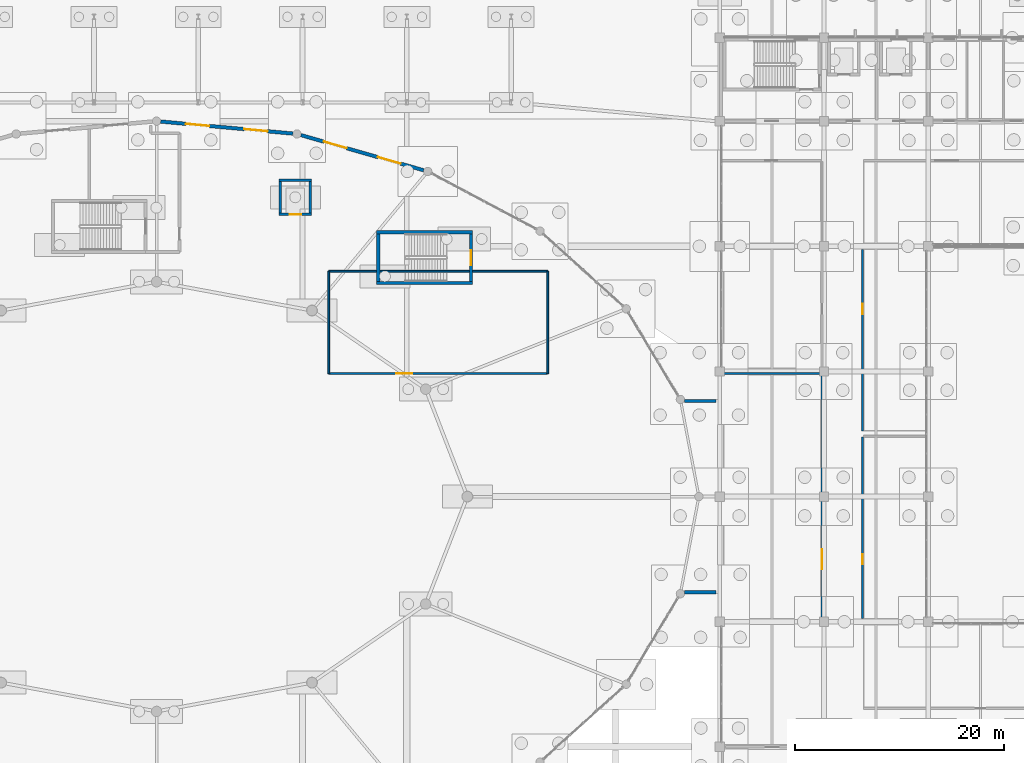
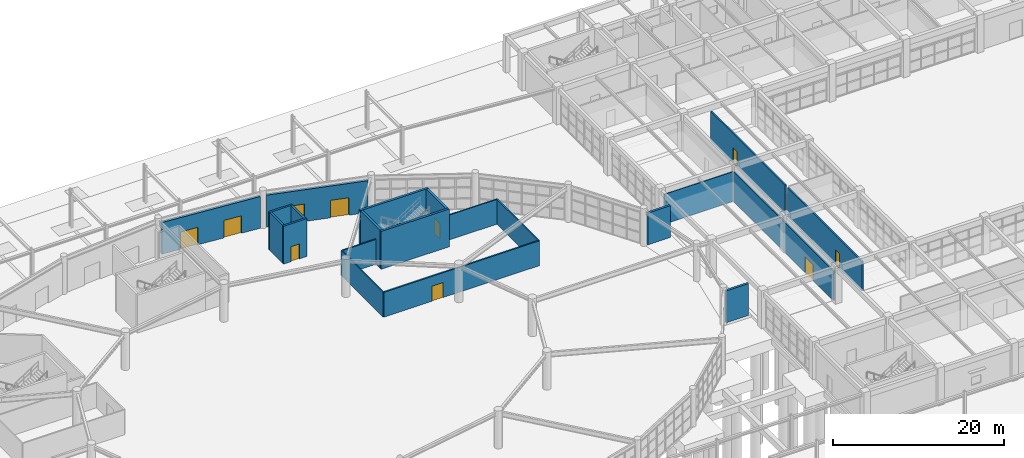
# One storey, part 78 of 99: 20 walls, 10 doors, 10 openings.
"""IFC4 building model written with IfcOpenShell, lengths in metres."""

from ifc_helpers import new_model, si_unit, direction, frame, frame_2d, origin, place, context, subcontext, project, spatial, rectangle, extrude, material, layer, layer_set, type_object, element, fill, save


model = new_model("IFC4")

# Units and contexts
model_context = context("Model", 3, precision=1e-05, world=origin(), true_north=direction((0.0, 1.0)))
body_context = subcontext(model_context, "Body", "Model", "MODEL_VIEW")
ifc_project = project(units=[si_unit("LENGTHUNIT", "METRE"), si_unit("AREAUNIT", "SQUARE_METRE"), si_unit("VOLUMEUNIT", "CUBIC_METRE"), si_unit("PLANEANGLEUNIT", "RADIAN"), si_unit("MASSUNIT", "GRAM", prefix="KILO")], contexts=[model_context])

# Site, building, storey
site_placement = place(None, origin())
site = spatial("IfcSite", under=ifc_project, at=site_placement, CompositionType="ELEMENT")
building_placement = place(site_placement, origin())
building = spatial("IfcBuilding", under=site, at=building_placement, Name="Kivolera Central Railway Station", CompositionType="ELEMENT")
storey_placement = place(building_placement, origin())
storey = spatial("IfcBuildingStorey", under=building, at=storey_placement, Name="L00", CompositionType="ELEMENT", Elevation=0.0)

# Wall, opening, door
ifc_material_1 = material(Name="Swahili coral limestone", Category="masonry")
ifc_layer_1 = layer(ifc_material_1, 0.199951171875, Name="Swahili coral limestone")
ifc_layer_set_1 = layer_set([ifc_layer_1], Name="Swahili coral limestone")
wall_type_1 = type_object("IfcWallType", Name="WL-COR-200", PredefinedType="PARTITIONING", material=ifc_layer_set_1)
wall_1_placement = place(storey_placement, frame((127.820068359375, 78.300048828125, 0.0), z_axis=(0.0, 0.0, 1.0), x_axis=(0.0, 1.0, 0.0)))
wall_1 = element("IfcWall", 1, at=wall_1_placement, inside=storey, type_object=wall_type_1, Name="L00 Left Luggage and Baggage Screening Hall Corridor Wall", PredefinedType="PARTITIONING", context=body_context, shape_type="SweptSolid", body=[
    extrude(rectangle(XDim=23.39990234375, YDim=0.199951171875, at=frame_2d((11.699951171875, 0.0))), origin(), (0.0, 0.0, 1.0), 4.258056640625),
])
opening_1_placement = place(wall_1_placement, frame((4.75, 0.0, 0.0)))
opening_1 = element("IfcOpeningElement", 2, at=opening_1_placement, cuts=wall_1, Name="Opening D-DB-05", PredefinedType="OPENING", context=body_context, shape_type="SweptSolid", body=[
    extrude(rectangle(XDim=1.89990234375, YDim=2.25, at=frame_2d((0.949951171875, 1.125))), frame((0.0, 0.10986328125, 0.0), z_axis=(0.0, -1.0, 0.0), x_axis=(1.0, 0.0, 0.0)), (0.0, 0.0, 1.0), 0.219970703125),
])
ifc_material_2 = material(Name="Anodised aluminium", Category="aluminium")
door_type_1 = type_object("IfcDoorType", Name="DR-D-DB-05", OperationType="NOTDEFINED", PredefinedType="DOOR", material=ifc_material_2)
door_1_placement = place(opening_1_placement, origin())
door_1 = element("IfcDoor", 3, at=door_1_placement, inside=storey, type_object=door_type_1, Name="L00 Left Luggage and Baggage Screening Hall Door", OperationType="DOUBLE_DOOR_SINGLE_SWING", OverallHeight=2.25, OverallWidth=1.89990234375, PredefinedType="DOOR", context=body_context, shape_type="SweptSolid", body=[
    extrude(rectangle(XDim=1.89990234375, YDim=2.25, at=frame_2d((0.949951171875, 1.125))), frame((0.0, 0.02490234375, 0.0), z_axis=(0.0, -1.0, 0.0), x_axis=(1.0, 0.0, 0.0)), (0.0, 0.0, 1.0), 0.050048828125),
])
fill(opening_1, door_1)

wall_2_placement = place(storey_placement, frame((131.679931640625, 78.300048828125, 0.0), z_axis=(0.0, 0.0, 1.0), x_axis=(0.0, 1.0, 0.0)))
wall_2 = element("IfcWall", 4, at=wall_2_placement, inside=storey, type_object=wall_type_1, Name="L00 Arcade Bakery Retail Shop Corridor Wall", PredefinedType="PARTITIONING", context=body_context, shape_type="SweptSolid", body=[
    extrude(rectangle(XDim=17.39990234375, YDim=0.199951171875, at=frame_2d((8.699951171875, 0.0))), origin(), (0.0, 0.0, 1.0), 4.258056640625),
])
opening_2_placement = place(wall_2_placement, frame((5.22509765625, 0.0, 0.0)))
opening_2 = element("IfcOpeningElement", 5, at=opening_2_placement, cuts=wall_2, Name="Opening D-SG-08", PredefinedType="OPENING", context=body_context, shape_type="SweptSolid", body=[
    extrude(rectangle(XDim=0.949951171875, YDim=2.199951171875, at=frame_2d((0.47509765625, 1.10009765625))), frame((0.0, 0.10986328125, 0.0), z_axis=(0.0, -1.0, 0.0), x_axis=(1.0, 0.0, 0.0)), (0.0, 0.0, 1.0), 0.219970703125),
])
ifc_material_3 = material(Name="Hardwood mvule timber", Category="wood")
door_type_2 = type_object("IfcDoorType", Name="DR-D-SG-08", OperationType="NOTDEFINED", PredefinedType="DOOR", material=ifc_material_3)
door_2_placement = place(opening_2_placement, origin())
door_2 = element("IfcDoor", 6, at=door_2_placement, inside=storey, type_object=door_type_2, Name="L00 Arcade Bakery Retail Shop Door", OperationType="SINGLE_SWING_RIGHT", OverallHeight=2.199951171875, OverallWidth=0.949951171875, PredefinedType="DOOR", context=body_context, shape_type="SweptSolid", body=[
    extrude(rectangle(XDim=0.949951171875, YDim=2.199951171875, at=frame_2d((0.47509765625, 1.10009765625))), frame((0.0, 0.02490234375, 0.0), z_axis=(0.0, -1.0, 0.0), x_axis=(1.0, 0.0, 0.0)), (0.0, 0.0, 1.0), 0.050048828125),
])
fill(opening_2, door_2)

wall_3_placement = place(storey_placement, frame((131.679931640625, 96.300048828125, 0.0), z_axis=(0.0, 0.0, 1.0), x_axis=(0.0, 1.0, 0.0)))
wall_3 = element("IfcWall", 7, at=wall_3_placement, inside=storey, type_object=wall_type_1, Name="L00 Mobile Telecoms Service Shop Corridor Wall", PredefinedType="PARTITIONING", context=body_context, shape_type="SweptSolid", body=[
    extrude(rectangle(XDim=17.39990234375, YDim=0.199951171875, at=frame_2d((8.699951171875, 0.0))), origin(), (0.0, 0.0, 1.0), 4.258056640625),
])
opening_3_placement = place(wall_3_placement, frame((11.199951171875, 0.0, 0.0)))
opening_3 = element("IfcOpeningElement", 8, at=opening_3_placement, cuts=wall_3, Name="Opening D-SG-09", PredefinedType="OPENING", context=body_context, shape_type="SweptSolid", body=[
    extrude(rectangle(XDim=1.0, YDim=2.199951171875, at=frame_2d((0.5, 1.10009765625))), frame((0.0, 0.10986328125, 0.0), z_axis=(0.0, -1.0, 0.0), x_axis=(1.0, 0.0, 0.0)), (0.0, 0.0, 1.0), 0.219970703125),
])
door_type_3 = type_object("IfcDoorType", Name="DR-D-SG-09", OperationType="NOTDEFINED", PredefinedType="DOOR", material=ifc_material_3)
door_3_placement = place(opening_3_placement, origin())
door_3 = element("IfcDoor", 9, at=door_3_placement, inside=storey, type_object=door_type_3, Name="L00 Mobile Telecoms Service Shop Door", OperationType="SINGLE_SWING_LEFT", OverallHeight=2.199951171875, OverallWidth=1.0, PredefinedType="DOOR", context=body_context, shape_type="SweptSolid", body=[
    extrude(rectangle(XDim=1.0, YDim=2.199951171875, at=frame_2d((0.5, 1.10009765625))), frame((0.0, 0.02490234375, 0.0), z_axis=(0.0, -1.0, 0.0), x_axis=(1.0, 0.0, 0.0)), (0.0, 0.0, 1.0), 0.050048828125),
])
fill(opening_3, door_3)

wall_4_placement = place(storey_placement, frame((80.5, 101.800048828125, 0.0), z_axis=(0.0, 0.0, 1.0), x_axis=(1.0, 0.0, 0.0)))
wall_4 = element("IfcWall", 10, at=wall_4_placement, inside=storey, type_object=wall_type_1, Name="L00 Ticket Issuing Office Counter Door Host Wall", PredefinedType="PARTITIONING", context=body_context, shape_type="SweptSolid", body=[
    extrude(rectangle(XDim=21.0, YDim=0.199951171875, at=frame_2d((10.5, 0.0))), origin(), (0.0, 0.0, 1.0), 3.550048828125),
])
opening_4_placement = place(wall_4_placement, frame((6.5, 0.0, 0.0)))
opening_4 = element("IfcOpeningElement", 11, at=opening_4_placement, cuts=wall_4, Name="Opening D-DB-01", PredefinedType="OPENING", context=body_context, shape_type="SweptSolid", body=[
    extrude(rectangle(XDim=1.5, YDim=2.14990234375, at=frame_2d((0.75, 1.074951171875))), frame((0.0, 0.10986328125, 0.0), z_axis=(0.0, -1.0, 0.0), x_axis=(1.0, 0.0, 0.0)), (0.0, 0.0, 1.0), 0.219970703125),
])
door_type_4 = type_object("IfcDoorType", Name="DR-D-DB-01", OperationType="NOTDEFINED", PredefinedType="DOOR", material=ifc_material_2)
door_4_placement = place(opening_4_placement, origin())
door_4 = element("IfcDoor", 12, at=door_4_placement, inside=storey, type_object=door_type_4, Name="L00 Ticket Issuing Office Counter Door", OperationType="DOUBLE_DOOR_SINGLE_SWING", OverallHeight=2.14990234375, OverallWidth=1.5, PredefinedType="DOOR", context=body_context, shape_type="SweptSolid", body=[
    extrude(rectangle(XDim=1.5, YDim=2.14990234375, at=frame_2d((0.75, 1.074951171875))), frame((0.0, 0.02490234375, 0.0), z_axis=(0.0, -1.0, 0.0), x_axis=(1.0, 0.0, 0.0)), (0.0, 0.0, 1.0), 0.050048828125),
])
fill(opening_4, door_4)

# Walls
ifc_material_4 = material(Name="Concrete C40/50", Category="concrete")
ifc_layer_2 = layer(ifc_material_4, 0.300048828125, Name="Concrete C40/50")
ifc_layer_set_2 = layer_set([ifc_layer_2], Name="Concrete C40/50")
wall_type_2 = type_object("IfcWallType", Name="WL-CORE-300", PredefinedType="SHEAR", material=ifc_layer_set_2)
for number, where, z_axis, x_axis, name in (
    (13, (94.300048828125, 110.469970703125, 0.0), (0.0, 0.0, 1.0), (-1.0, 0.0, 0.0), "L00 ST7 Core Right Shear Wall"),
    (14, (85.10009765625, 115.35009765625, 0.0), (0.0, 0.0, 1.0), (1.0, 0.0, 0.0), "L00 ST7 Core Left Shear Wall"),
):
    element("IfcWall", number, at=place(storey_placement, frame(where, z_axis=z_axis, x_axis=x_axis)), inside=storey, type_object=wall_type_2, Name=name, PredefinedType="SHEAR", context=body_context, shape_type="SweptSolid", body=[
        extrude(rectangle(XDim=9.199951171875, YDim=0.300048828125, at=frame_2d((4.60009765625, 0.0))), origin(), (0.0, 0.0, 1.0), 5.39990234375),
    ])

# Wall, opening, door
wall_5_placement = place(storey_placement, frame((94.14990234375, 115.199951171875, 0.0), z_axis=(0.0, 0.0, 1.0), x_axis=(0.0, -1.0, 0.0)))
wall_5 = element("IfcWall", 15, at=wall_5_placement, inside=storey, type_object=wall_type_2, Name="L00 ST7 Core Near Shear Wall", PredefinedType="SHEAR", context=body_context, shape_type="SweptSolid", body=[
    extrude(rectangle(XDim=4.579833984375, YDim=0.300048828125, at=frame_2d((2.2900390625, 0.0))), origin(), (0.0, 0.0, 1.0), 5.39990234375),
])
opening_5_placement = place(wall_5_placement, frame((1.56494140625, 0.0, 0.0)))
opening_5 = element("IfcOpeningElement", 16, at=opening_5_placement, cuts=wall_5, Name="Opening D-STAIR-1450", PredefinedType="OPENING", context=body_context, shape_type="SweptSolid", body=[
    extrude(rectangle(XDim=1.449951171875, YDim=2.199951171875, at=frame_2d((0.72509765625, 1.10009765625))), frame((0.0, 0.159912109375, 0.0), z_axis=(0.0, -1.0, 0.0), x_axis=(1.0, 0.0, 0.0)), (0.0, 0.0, 1.0), 0.320068359375),
])
door_type_5 = type_object("IfcDoorType", Name="DR-D-STAIR-1450", OperationType="NOTDEFINED", PredefinedType="DOOR", material=ifc_material_3)
door_5_placement = place(opening_5_placement, origin())
door_5 = element("IfcDoor", 17, at=door_5_placement, inside=storey, type_object=door_type_5, Name="L00 ST7 Concourse/Platform Stair Fire Door", OperationType="SINGLE_SWING_LEFT", OverallHeight=2.199951171875, OverallWidth=1.449951171875, PredefinedType="DOOR", context=body_context, shape_type="SweptSolid", body=[
    extrude(rectangle(XDim=1.449951171875, YDim=2.199951171875, at=frame_2d((0.72509765625, 1.10009765625))), frame((0.0, 0.02490234375, 0.0), z_axis=(0.0, -1.0, 0.0), x_axis=(1.0, 0.0, 0.0)), (0.0, 0.0, 1.0), 0.050048828125),
])
fill(opening_5, door_5)

# Walls
wall_6_placement = place(storey_placement, frame((85.25, 110.6201171875, 0.0), z_axis=(0.0, 0.0, 1.0), x_axis=(0.0, 1.0, 0.0)))
element("IfcWall", 18, at=wall_6_placement, inside=storey, type_object=wall_type_2, Name="L00 ST7 Core Far Shear Wall", PredefinedType="SHEAR", context=body_context, shape_type="SweptSolid", body=[
    extrude(rectangle(XDim=4.579833984375, YDim=0.300048828125, at=frame_2d((2.2900390625, 0.0))), origin(), (0.0, 0.0, 1.0), 5.39990234375),
])
ifc_layer_3 = layer(ifc_material_1, 0.2900390625, Name="Swahili coral limestone")
ifc_layer_set_3 = layer_set([ifc_layer_3], Name="Swahili coral limestone")
wall_type_3 = type_object("IfcWallType", Name="WL-EXT-CORAL-290", PredefinedType="SOLIDWALL", material=ifc_layer_set_3)
for number, where, z_axis, x_axis, name in (
    (19, (114.60791015625, 99.172119140625, 0.0), (0.0, 0.0, 1.0), (1.0, 0.0, 0.0), "L00 Concourse Link North Closure Wall"),
    (20, (117.64990234375, 80.827880859375, 0.0), (0.0, 0.0, 1.0), (-1.0, 0.0, 0.0), "L00 Concourse Link South Closure Wall"),
):
    element("IfcWall", number, at=place(storey_placement, frame(where, z_axis=z_axis, x_axis=x_axis)), inside=storey, type_object=wall_type_3, Name=name, PredefinedType="SOLIDWALL", context=body_context, shape_type="SweptSolid", body=[
        extrude(rectangle(XDim=3.0419921875, YDim=0.2900390625, at=frame_2d((1.52099609375, 0.0))), origin(), (0.0, 0.0, 1.0), 4.550048828125),
    ])

# Wall, openings, doors
ifc_layer_4 = layer(ifc_material_1, 0.340087890625, Name="Swahili coral limestone")
ifc_layer_set_4 = layer_set([ifc_layer_4], Name="Swahili coral limestone")
wall_type_4 = type_object("IfcWallType", Name="WL-EXT-PLINTH-340", PredefinedType="SOLIDWALL", material=ifc_layer_set_4)
wall_7_placement = place(storey_placement, frame((77.843994140625, 124.6630859375, 0.0), z_axis=(0.0, 0.0, 1.0), x_axis=(0.9612465972, -0.275690005934, 0.0)))
wall_7 = element("IfcWall", 21, at=wall_7_placement, inside=storey, type_object=wall_type_4, Name="Oval Concourse Entrance Portal Wall Bay 05", PredefinedType="SOLIDWALL", context=body_context, shape_type="SweptSolid", body=[
    extrude(rectangle(XDim=12.24560546875, YDim=0.340087890625, at=frame_2d((6.122802734375, 0.0))), origin(), (0.0, 0.0, 1.0), 4.5400390625),
])
opening_6_placement = place(wall_7_placement, frame((2.303955078125, 0.0, 0.0)))
opening_6 = element("IfcOpeningElement", 22, at=opening_6_placement, cuts=wall_7, Name="Opening ED-2250", PredefinedType="OPENING", context=body_context, shape_type="SweptSolid", body=[
    extrude(rectangle(XDim=2.25, YDim=2.5, at=frame_2d((1.125, 1.25))), frame((0.0, 0.179931640625, 0.0), z_axis=(0.0, -1.0, 0.0), x_axis=(1.0, 0.0, 0.0)), (0.0, 0.0, 1.0), 0.360107421875),
])
opening_7_placement = place(wall_7_placement, frame((7.69189453125, 0.0, 0.0)))
opening_7 = element("IfcOpeningElement", 23, at=opening_7_placement, cuts=wall_7, Name="Opening ED-2250", PredefinedType="OPENING", context=body_context, shape_type="SweptSolid", body=[
    extrude(rectangle(XDim=2.25, YDim=2.5, at=frame_2d((1.125, 1.25))), frame((0.0, 0.179931640625, 0.0), z_axis=(0.0, -1.0, 0.0), x_axis=(1.0, 0.0, 0.0)), (0.0, 0.0, 1.0), 0.360107421875),
])
door_type_6 = type_object("IfcDoorType", Name="DR-ED-2250", OperationType="NOTDEFINED", PredefinedType="DOOR", material=ifc_material_2)
door_6_placement = place(opening_6_placement, origin())
door_6 = element("IfcDoor", 24, at=door_6_placement, inside=storey, type_object=door_type_6, Name="Final Exit Discharge Door ED-01", OperationType="DOUBLE_DOOR_SINGLE_SWING", OverallHeight=2.5, OverallWidth=2.25, PredefinedType="DOOR", context=body_context, shape_type="SweptSolid", body=[
    extrude(rectangle(XDim=2.25, YDim=2.5, at=frame_2d((1.125, 1.25))), frame((0.0, 0.02490234375, 0.0), z_axis=(0.0, -1.0, 0.0), x_axis=(1.0, 0.0, 0.0)), (0.0, 0.0, 1.0), 0.050048828125),
])
fill(opening_6, door_6)
door_7_placement = place(opening_7_placement, origin())
door_7 = element("IfcDoor", 25, at=door_7_placement, inside=storey, type_object=door_type_6, Name="Final Exit Discharge Door ED-02", OperationType="DOUBLE_DOOR_SINGLE_SWING", OverallHeight=2.5, OverallWidth=2.25, PredefinedType="DOOR", context=body_context, shape_type="SweptSolid", body=[
    extrude(rectangle(XDim=2.25, YDim=2.5, at=frame_2d((1.125, 1.25))), frame((0.0, 0.02490234375, 0.0), z_axis=(0.0, -1.0, 0.0), x_axis=(1.0, 0.0, 0.0)), (0.0, 0.0, 1.0), 0.050048828125),
])
fill(opening_7, door_7)

wall_8_placement = place(storey_placement, frame((64.39794921875, 125.964111328125, 0.0), z_axis=(0.0, 0.0, 1.0), x_axis=(0.995865935197, -0.090835230574, 0.0)))
wall_8 = element("IfcWall", 26, at=wall_8_placement, inside=storey, type_object=wall_type_4, Name="Oval Concourse Entrance Portal Wall Bay 06", PredefinedType="SOLIDWALL", context=body_context, shape_type="SweptSolid", body=[
    extrude(rectangle(XDim=12.715576171875, YDim=0.340087890625, at=frame_2d((6.35791015625, 0.0))), origin(), (0.0, 0.0, 1.0), 4.5400390625),
])
opening_8_placement = place(wall_8_placement, frame((2.43505859375, 0.0, 0.0)))
opening_8 = element("IfcOpeningElement", 27, at=opening_8_placement, cuts=wall_8, Name="Opening ED-2250", PredefinedType="OPENING", context=body_context, shape_type="SweptSolid", body=[
    extrude(rectangle(XDim=2.25, YDim=2.5, at=frame_2d((1.125, 1.25))), frame((0.0, 0.179931640625, 0.0), z_axis=(0.0, -1.0, 0.0), x_axis=(1.0, 0.0, 0.0)), (0.0, 0.0, 1.0), 0.360107421875),
])
opening_9_placement = place(wall_8_placement, frame((8.030029296875, 0.0, 0.0)))
opening_9 = element("IfcOpeningElement", 28, at=opening_9_placement, cuts=wall_8, Name="Opening ED-2250", PredefinedType="OPENING", context=body_context, shape_type="SweptSolid", body=[
    extrude(rectangle(XDim=2.25, YDim=2.5, at=frame_2d((1.125, 1.25))), frame((0.0, 0.179931640625, 0.0), z_axis=(0.0, -1.0, 0.0), x_axis=(1.0, 0.0, 0.0)), (0.0, 0.0, 1.0), 0.360107421875),
])
door_8_placement = place(opening_8_placement, origin())
door_8 = element("IfcDoor", 29, at=door_8_placement, inside=storey, type_object=door_type_6, Name="Final Exit Discharge Door ED-03", OperationType="DOUBLE_DOOR_SINGLE_SWING", OverallHeight=2.5, OverallWidth=2.25, PredefinedType="DOOR", context=body_context, shape_type="SweptSolid", body=[
    extrude(rectangle(XDim=2.25, YDim=2.5, at=frame_2d((1.125, 1.25))), frame((0.0, 0.02490234375, 0.0), z_axis=(0.0, -1.0, 0.0), x_axis=(1.0, 0.0, 0.0)), (0.0, 0.0, 1.0), 0.050048828125),
])
fill(opening_8, door_8)
door_9_placement = place(opening_9_placement, origin())
door_9 = element("IfcDoor", 30, at=door_9_placement, inside=storey, type_object=door_type_6, Name="Final Exit Discharge Door ED-04", OperationType="DOUBLE_DOOR_SINGLE_SWING", OverallHeight=2.5, OverallWidth=2.25, PredefinedType="DOOR", context=body_context, shape_type="SweptSolid", body=[
    extrude(rectangle(XDim=2.25, YDim=2.5, at=frame_2d((1.125, 1.25))), frame((0.0, 0.02490234375, 0.0), z_axis=(0.0, -1.0, 0.0), x_axis=(1.0, 0.0, 0.0)), (0.0, 0.0, 1.0), 0.050048828125),
])
fill(opening_9, door_9)

# Walls
ifc_material_5 = material(Name="Gypsum plasterboard steel-stud partition")
ifc_layer_5 = layer(ifc_material_5, 0.1650390625, Name="Gypsum plasterboard steel-stud partition")
ifc_layer_set_5 = layer_set([ifc_layer_5], Name="Gypsum plasterboard steel-stud partition")
wall_type_5 = type_object("IfcWallType", Name="WL-PRT-165", PredefinedType="PARTITIONING", material=ifc_layer_set_5)
wall_9_placement = place(storey_placement, frame((80.5, 111.60009765625, 0.0), z_axis=(0.0, 0.0, 1.0), x_axis=(1.0, 0.0, 0.0)))
element("IfcWall", 31, at=wall_9_placement, inside=storey, type_object=wall_type_5, Name="L00 Concourse Partition WL-L00-TKTOFF-N", PredefinedType="PARTITIONING", context=body_context, shape_type="SweptSolid", body=[
    extrude(rectangle(XDim=21.0, YDim=0.1650390625, at=frame_2d((10.5, 0.0))), origin(), (0.0, 0.0, 1.0), 3.550048828125),
])
for number, where, z_axis, x_axis, name in (
    (32, (80.5, 101.800048828125, 0.0), (0.0, 0.0, 1.0), (0.0, 1.0, 0.0), "L00 Concourse Partition WL-L00-TKTOFF-W"),
    (33, (101.5, 101.800048828125, 0.0), (0.0, 0.0, 1.0), (0.0, 1.0, 0.0), "L00 Concourse Partition WL-L00-TKTOFF-E"),
):
    element("IfcWall", number, at=place(storey_placement, frame(where, z_axis=z_axis, x_axis=x_axis)), inside=storey, type_object=wall_type_5, Name=name, PredefinedType="PARTITIONING", context=body_context, shape_type="SweptSolid", body=[
        extrude(rectangle(XDim=9.800048828125, YDim=0.1650390625, at=frame_2d((4.89990234375, 0.0))), origin(), (0.0, 0.0, 1.0), 3.550048828125),
    ])
ifc_layer_6 = layer(ifc_material_5, 0.179931640625, Name="Gypsum plasterboard steel-stud partition")
ifc_layer_set_6 = layer_set([ifc_layer_6], Name="Gypsum plasterboard steel-stud partition")
wall_type_6 = type_object("IfcWallType", Name="WL-PRT-180", PredefinedType="PARTITIONING", material=ifc_layer_set_6)
wall_10_placement = place(storey_placement, frame((118.39990234375, 101.800048828125, 0.0), z_axis=(0.0, 0.0, 1.0), x_axis=(1.0, 0.0, 0.0)))
element("IfcWall", 34, at=wall_10_placement, inside=storey, type_object=wall_type_6, Name="L00 Left Luggage and Baggage Screening Hall Partition Wall", PredefinedType="PARTITIONING", context=body_context, shape_type="SweptSolid", body=[
    extrude(rectangle(XDim=9.300048828125, YDim=0.179931640625, at=frame_2d((4.64990234375, 0.0))), origin(), (0.0, 0.0, 1.0), 4.258056640625),
])

# Wall, opening, door
ifc_layer_7 = layer(ifc_material_4, 0.260009765625, Name="Concrete C40/50")
ifc_layer_set_7 = layer_set([ifc_layer_7], Name="Concrete C40/50")
wall_type_7 = type_object("IfcWallType", Name="WL-SHAFT-260", PredefinedType="SHEAR", material=ifc_layer_set_7)
wall_11_placement = place(storey_placement, frame((75.739990234375, 117.070068359375, 0.0), z_axis=(0.0, 0.0, 1.0), x_axis=(1.0, 0.0, 0.0)))
wall_11 = element("IfcWall", 35, at=wall_11_placement, inside=storey, type_object=wall_type_7, Name="L00 Lift PL3 Front Shaft Wall", PredefinedType="SHEAR", context=body_context, shape_type="SweptSolid", body=[
    extrude(rectangle(XDim=3.1201171875, YDim=0.260009765625, at=frame_2d((1.56005859375, 0.0))), origin(), (0.0, 0.0, 1.0), 5.39990234375),
])
opening_10_placement = place(wall_11_placement, frame((1.010009765625, 0.0, 0.0)))
opening_10 = element("IfcOpeningElement", 36, at=opening_10_placement, cuts=wall_11, Name="Opening LD-PAX-1100", PredefinedType="OPENING", context=body_context, shape_type="SweptSolid", body=[
    extrude(rectangle(XDim=1.10009765625, YDim=2.14990234375, at=frame_2d((0.550048828125, 1.074951171875))), frame((0.0, 0.139892578125, 0.0), z_axis=(0.0, -1.0, 0.0), x_axis=(1.0, 0.0, 0.0)), (0.0, 0.0, 1.0), 0.280029296875),
])
door_type_7 = type_object("IfcDoorType", Name="DR-LD-PAX-1100", OperationType="NOTDEFINED", PredefinedType="DOOR", material=ifc_material_2)
door_10_placement = place(opening_10_placement, origin())
door_10 = element("IfcDoor", 37, at=door_10_placement, inside=storey, type_object=door_type_7, Name="L00 Lift PL3 Sliding Landing Door", OperationType="SLIDING_TO_LEFT", OverallHeight=2.14990234375, OverallWidth=1.10009765625, PredefinedType="DOOR", context=body_context, shape_type="SweptSolid", body=[
    extrude(rectangle(XDim=1.10009765625, YDim=2.14990234375, at=frame_2d((0.550048828125, 1.074951171875))), frame((0.0, 0.02490234375, 0.0), z_axis=(0.0, -1.0, 0.0), x_axis=(1.0, 0.0, 0.0)), (0.0, 0.0, 1.0), 0.050048828125),
])
fill(opening_10, door_10)

# Walls
for number, where, z_axis, x_axis, name in (
    (38, (75.8701171875, 117.199951171875, 0.0), (0.0, 0.0, 1.0), (0.0, 1.0, 0.0), "L00 Lift PL3 West Shaft Wall"),
    (39, (78.72998046875, 117.199951171875, 0.0), (0.0, 0.0, 1.0), (0.0, 1.0, 0.0), "L00 Lift PL3 East Shaft Wall"),
):
    element("IfcWall", number, at=place(storey_placement, frame(where, z_axis=z_axis, x_axis=x_axis)), inside=storey, type_object=wall_type_7, Name=name, PredefinedType="SHEAR", context=body_context, shape_type="SweptSolid", body=[
        extrude(rectangle(XDim=3.0, YDim=0.260009765625, at=frame_2d((1.5, 0.0))), origin(), (0.0, 0.0, 1.0), 5.39990234375),
    ])
wall_12_placement = place(storey_placement, frame((75.739990234375, 120.330078125, 0.0), z_axis=(0.0, 0.0, 1.0), x_axis=(1.0, 0.0, 0.0)))
element("IfcWall", 40, at=wall_12_placement, inside=storey, type_object=wall_type_7, Name="L00 Lift PL3 Rear Shaft Wall", PredefinedType="SHEAR", context=body_context, shape_type="SweptSolid", body=[
    extrude(rectangle(XDim=3.1201171875, YDim=0.260009765625, at=frame_2d((1.56005859375, 0.0))), origin(), (0.0, 0.0, 1.0), 5.39990234375),
])

save(model, "model.ifc")
